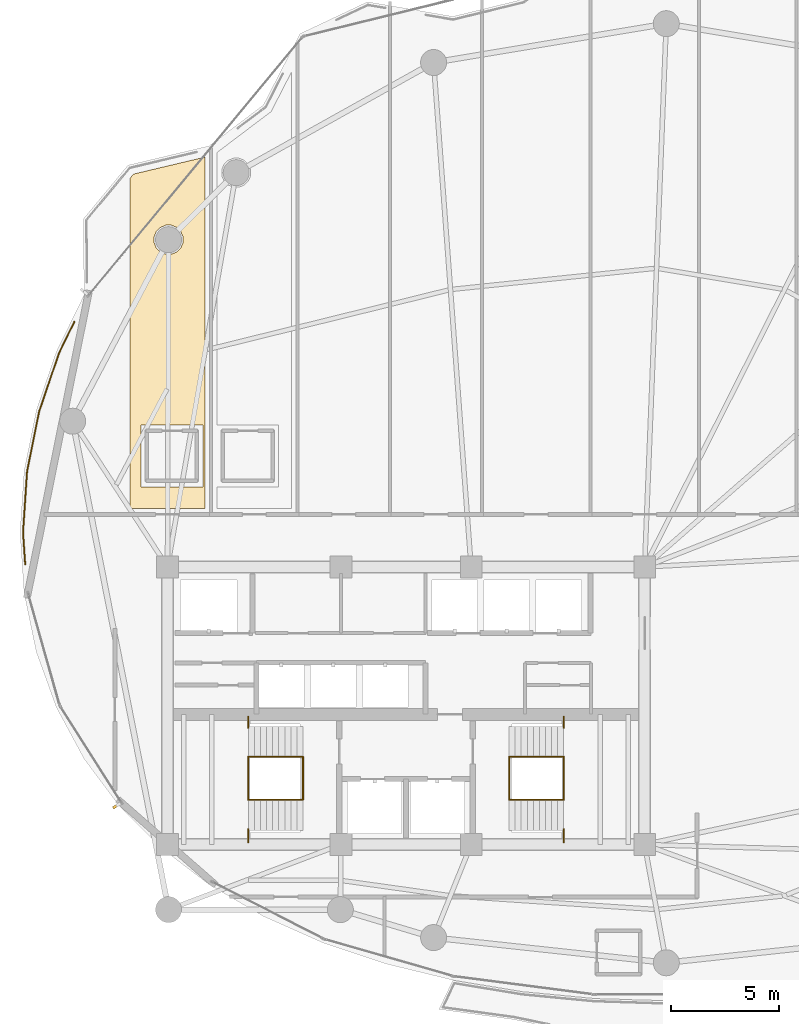
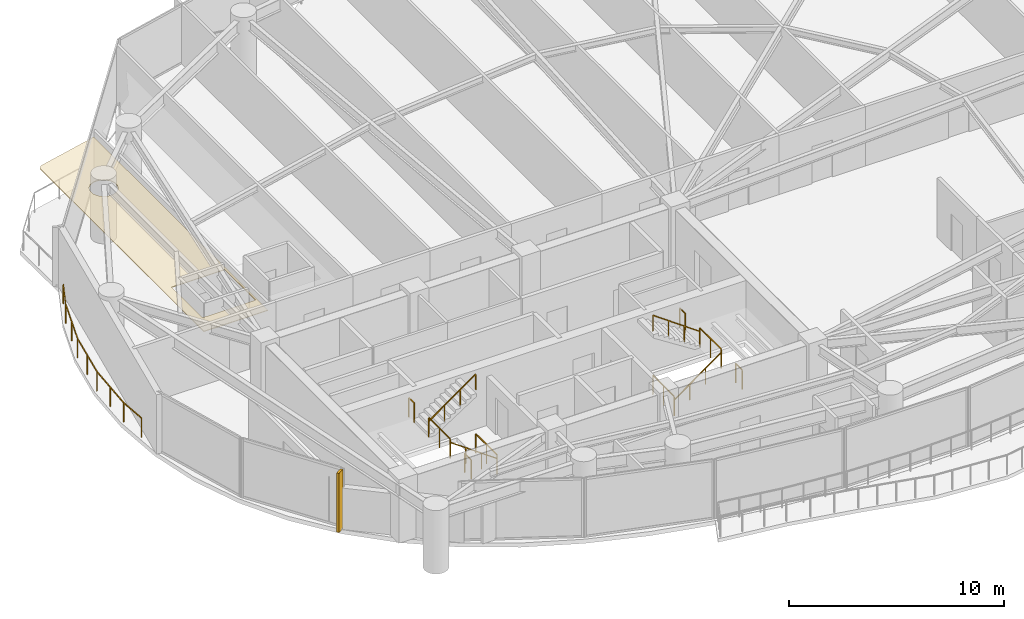
# One storey, part 26 of 28: 13 railings, 1 covering, 1 shading device.
"""IFC4 building model written with IfcOpenShell, lengths in metres."""

from ifc_helpers import new_model, si_unit, direction, frame, origin, origin_2d, place, context, subcontext, project, spatial, polyline, rectangle, outline, extrude, material, layer, layer_set, type_object, element, save


model = new_model("IFC4")

# Units and contexts
model_context = context("Model", 3, precision=1e-05, world=origin(), true_north=direction((0.0, 1.0)))
body_context = subcontext(model_context, "Body", "Model", "MODEL_VIEW")
ifc_project = project(units=[si_unit("LENGTHUNIT", "METRE"), si_unit("AREAUNIT", "SQUARE_METRE"), si_unit("VOLUMEUNIT", "CUBIC_METRE"), si_unit("PLANEANGLEUNIT", "RADIAN"), si_unit("MASSUNIT", "GRAM", prefix="KILO")], contexts=[model_context])

# Site, building, storey
site_placement = place(None, origin())
site = spatial("IfcSite", under=ifc_project, at=site_placement, CompositionType="ELEMENT")
building_placement = place(site_placement, origin())
building = spatial("IfcBuilding", under=site, at=building_placement, Name="Kazevale Care Tower and Concert Hall", CompositionType="ELEMENT")
storey_placement = place(building_placement, frame((0.0, 0.0, 109.800048828125)))
storey = spatial("IfcBuildingStorey", under=building, at=storey_placement, Name="L28", CompositionType="ELEMENT", Elevation=109.800048828125)

# Covering
ifc_material_1 = material(Name="Acoustic Plaster and Hinoki Wood", Category="wood")
ifc_layer = layer(ifc_material_1, 0.0400390625)
ifc_layer_set = layer_set([ifc_layer], Name="Acoustic Plaster and Hinoki Wood")
covering_type = type_object("IfcCoveringType", Name="Acoustic Perforated Wood-Gypsum Ceiling", PredefinedType="CEILING", material=ifc_layer_set)
covering_placement = place(storey_placement, frame((0.0, 0.0, 2.7099609375)))
element("IfcCovering", 1, at=covering_placement, inside=storey, type_object=covering_type, Name="clg:L28:1", PredefinedType="CEILING", context=body_context, shape_type="SweptSolid", body=[
    extrude(outline(polyline([(23.719970703125, 39.10498046875), (20.280029296875, 39.10498046875), (20.280029296875, 54.33203125), (20.43310546875, 54.51611328125), (23.719970703125, 55.297119140625), (23.719970703125, 39.10498046875)]), holes=[polyline([(20.77001953125, 42.955078125), (20.77001953125, 40.094970703125), (23.6298828125, 40.094970703125), (23.6298828125, 42.955078125), (20.77001953125, 42.955078125)]), polyline([(22.717041015625, 51.623046875), (22.614990234375, 51.867919921875), (22.427978515625, 52.054931640625), (22.18310546875, 52.156982421875), (21.9169921875, 52.156982421875), (21.672119140625, 52.054931640625), (21.485107421875, 51.867919921875), (21.383056640625, 51.623046875), (21.383056640625, 51.35693359375), (21.485107421875, 51.112060546875), (21.672119140625, 50.925048828125), (21.9169921875, 50.822998046875), (22.18310546875, 50.822998046875), (22.427978515625, 50.925048828125), (22.614990234375, 51.112060546875), (22.717041015625, 51.35693359375), (22.717041015625, 51.623046875)])]), origin(), (0.0, 0.0, 1.0), 0.0400390625),
])

# Railings
ifc_material_2 = material(Name="Anodised Bronze Aluminium and Laminated Glass", Category="aluminium")
railing_type_1 = type_object("IfcRailingType", Name="Balcony and Terrace Balustrade 1120", PredefinedType="BALUSTRADE", material=ifc_material_2)
railing_1_placement = place(storey_placement, frame((15.43994140625, 36.514892578125, 0.0)))
element("IfcRailing", 2, at=railing_1_placement, inside=storey, type_object=railing_type_1, Name="rail:L28:perim:1", PredefinedType="BALUSTRADE", context=body_context, shape_type="SweptSolid", body=[
    extrude(rectangle(XDim=0.048095703125, YDim=0.048095703125, at=origin_2d()), frame((0.0, 0.0, 1.09619140625), z_axis=(-0.067085094259, 0.99774725764, 0.0), x_axis=(-0.99774725764, -0.067085094259, 0.0)), (0.0, 0.0, 1.0), 1.488525390625),
    extrude(rectangle(XDim=0.048095703125, YDim=0.048095703125, at=origin_2d()), frame((-0.099853515625, 1.485107421875, 1.09619140625), z_axis=(0.066138294973, 0.997810465939, 0.0), x_axis=(-0.997810465939, 0.066138294973, 0.0)), (0.0, 0.0, 1.0), 2.80908203125),
    extrude(rectangle(XDim=0.048095703125, YDim=0.048095703125, at=origin_2d()), frame((0.0859375, 4.2880859375, 1.09619140625), z_axis=(0.197313197068, 0.980340503225, 0.0), x_axis=(-0.980340503225, 0.197313197068, 0.0)), (0.0, 0.0, 1.0), 2.823486328125),
    extrude(rectangle(XDim=0.048095703125, YDim=0.048095703125, at=origin_2d()), frame((0.64306640625, 7.05615234375, 1.09619140625), z_axis=(0.322414050189, 0.946598742996, 0.0), x_axis=(-0.946598742996, 0.322414050189, 0.0)), (0.0, 0.0, 1.0), 2.85009765625),
    extrude(rectangle(XDim=0.048095703125, YDim=0.048095703125, at=origin_2d()), frame((1.56201171875, 9.754150390625, 1.09619140625), z_axis=(0.44003868985, 0.89797881458, 0.0), x_axis=(-0.89797881458, 0.44003868985, 0.0)), (0.0, 0.0, 1.0), 1.595703125),
    extrude(rectangle(XDim=0.0419921875, YDim=0.0419921875, at=origin_2d()), origin(), (0.0, 0.0, 1.0), 1.072021484375),
    extrude(rectangle(XDim=0.0419921875, YDim=0.0419921875, at=origin_2d()), frame((-0.099853515625, 1.485107421875, 0.0)), (0.0, 0.0, 1.0), 1.072021484375),
    extrude(rectangle(XDim=0.0419921875, YDim=0.0419921875, at=origin_2d()), frame((-0.0068359375, 2.88671875, 0.0)), (0.0, 0.0, 1.0), 1.072021484375),
    extrude(rectangle(XDim=0.0419921875, YDim=0.0419921875, at=origin_2d()), frame((0.0859375, 4.2880859375, 0.0)), (0.0, 0.0, 1.0), 1.072021484375),
    extrude(rectangle(XDim=0.0419921875, YDim=0.0419921875, at=origin_2d()), frame((0.364501953125, 5.672119140625, 0.0)), (0.0, 0.0, 1.0), 1.072021484375),
    extrude(rectangle(XDim=0.0419921875, YDim=0.0419921875, at=origin_2d()), frame((0.64306640625, 7.05615234375, 0.0)), (0.0, 0.0, 1.0), 1.072021484375),
    extrude(rectangle(XDim=0.0419921875, YDim=0.0419921875, at=origin_2d()), frame((1.1025390625, 8.4052734375, 0.0)), (0.0, 0.0, 1.0), 1.072021484375),
    extrude(rectangle(XDim=0.0419921875, YDim=0.0419921875, at=origin_2d()), frame((1.56201171875, 9.754150390625, 0.0)), (0.0, 0.0, 1.0), 1.072021484375),
    extrude(rectangle(XDim=0.0419921875, YDim=0.0419921875, at=origin_2d()), frame((2.26416015625, 11.18701171875, 0.0)), (0.0, 0.0, 1.0), 1.072021484375),
])
ifc_material_3 = material(Name="Stainless Steel 316", Category="steel")
railing_type_2 = type_object("IfcRailingType", Name="Stair Pitch Handrail 920", PredefinedType="HANDRAIL", material=ifc_material_3)
railing_2_placement = place(storey_placement, frame((28.25, 25.659912109375, 0.0)))
element("IfcRailing", 3, at=railing_2_placement, inside=storey, type_object=railing_type_2, Name="stair:L28:ST1:hr1", PredefinedType="HANDRAIL", context=body_context, shape_type="SweptSolid", body=[
    extrude(rectangle(XDim=0.048095703125, YDim=0.048095703125, at=origin_2d()), frame((0.0, 0.0, 0.89599609375), z_axis=(-0.813728144527, 0.0, 0.581245650998), x_axis=(0.0, -1.0, 0.0)), (0.0, 0.0, 1.0), 3.096923828125),
    extrude(rectangle(XDim=0.0419921875, YDim=0.0419921875, at=origin_2d()), origin(), (0.0, 0.0, 1.0), 0.871826171875),
    extrude(rectangle(XDim=0.0419921875, YDim=0.0419921875, at=origin_2d()), frame((-0.840087890625, 0.0, 0.60009765625)), (0.0, 0.0, 1.0), 0.871826171875),
    extrude(rectangle(XDim=0.0419921875, YDim=0.0419921875, at=origin_2d()), frame((-1.679931640625, 0.0, 1.199951171875)), (0.0, 0.0, 1.0), 0.871826171875),
    extrude(rectangle(XDim=0.0419921875, YDim=0.0419921875, at=origin_2d()), frame((-2.52001953125, 0.0, 1.800048828125)), (0.0, 0.0, 1.0), 0.871826171875),
])
railing_3_placement = place(storey_placement, frame((25.72998046875, 27.639892578125, 1.800048828125)))
element("IfcRailing", 4, at=railing_3_placement, inside=storey, type_object=railing_type_2, Name="stair:L28:ST1:hr2", PredefinedType="HANDRAIL", context=body_context, shape_type="SweptSolid", body=[
    extrude(rectangle(XDim=0.048095703125, YDim=0.048095703125, at=origin_2d()), frame((0.0, 0.0, 0.89599609375), z_axis=(0.813765431312, 0.0, 0.581193446971), x_axis=(0.0, 1.0, 0.0)), (0.0, 0.0, 1.0), 3.0966796875),
    extrude(rectangle(XDim=0.0419921875, YDim=0.0419921875, at=origin_2d()), origin(), (0.0, 0.0, 1.0), 0.871826171875),
    extrude(rectangle(XDim=0.0419921875, YDim=0.0419921875, at=origin_2d()), frame((0.840087890625, 0.0, 0.599853515625)), (0.0, 0.0, 1.0), 0.871826171875),
    extrude(rectangle(XDim=0.0419921875, YDim=0.0419921875, at=origin_2d()), frame((1.679931640625, 0.0, 1.199951171875)), (0.0, 0.0, 1.0), 0.871826171875),
    extrude(rectangle(XDim=0.0419921875, YDim=0.0419921875, at=origin_2d()), frame((2.52001953125, 0.0, 1.7998046875)), (0.0, 0.0, 1.0), 0.871826171875),
])
railing_4_placement = place(storey_placement, frame((37.75, 25.659912109375, 0.0)))
element("IfcRailing", 5, at=railing_4_placement, inside=storey, type_object=railing_type_2, Name="stair:L28:ST2:hr1", PredefinedType="HANDRAIL", context=body_context, shape_type="SweptSolid", body=[
    extrude(rectangle(XDim=0.048095703125, YDim=0.048095703125, at=origin_2d()), frame((0.0, 0.0, 0.89599609375), z_axis=(0.813728144527, 0.0, 0.581245650998), x_axis=(0.0, 1.0, 0.0)), (0.0, 0.0, 1.0), 3.096923828125),
    extrude(rectangle(XDim=0.0419921875, YDim=0.0419921875, at=origin_2d()), origin(), (0.0, 0.0, 1.0), 0.871826171875),
    extrude(rectangle(XDim=0.0419921875, YDim=0.0419921875, at=origin_2d()), frame((0.840087890625, 0.0, 0.60009765625)), (0.0, 0.0, 1.0), 0.871826171875),
    extrude(rectangle(XDim=0.0419921875, YDim=0.0419921875, at=origin_2d()), frame((1.679931640625, 0.0, 1.199951171875)), (0.0, 0.0, 1.0), 0.871826171875),
    extrude(rectangle(XDim=0.0419921875, YDim=0.0419921875, at=origin_2d()), frame((2.52001953125, 0.0, 1.800048828125)), (0.0, 0.0, 1.0), 0.871826171875),
])
railing_5_placement = place(storey_placement, frame((40.27001953125, 27.639892578125, 1.800048828125)))
element("IfcRailing", 6, at=railing_5_placement, inside=storey, type_object=railing_type_2, Name="stair:L28:ST2:hr2", PredefinedType="HANDRAIL", context=body_context, shape_type="SweptSolid", body=[
    extrude(rectangle(XDim=0.048095703125, YDim=0.048095703125, at=origin_2d()), frame((0.0, 0.0, 0.89599609375), z_axis=(-0.813765431312, 0.0, 0.581193446971), x_axis=(0.0, -1.0, 0.0)), (0.0, 0.0, 1.0), 3.0966796875),
    extrude(rectangle(XDim=0.0419921875, YDim=0.0419921875, at=origin_2d()), origin(), (0.0, 0.0, 1.0), 0.871826171875),
    extrude(rectangle(XDim=0.0419921875, YDim=0.0419921875, at=origin_2d()), frame((-0.840087890625, 0.0, 0.599853515625)), (0.0, 0.0, 1.0), 0.871826171875),
    extrude(rectangle(XDim=0.0419921875, YDim=0.0419921875, at=origin_2d()), frame((-1.679931640625, 0.0, 1.199951171875)), (0.0, 0.0, 1.0), 0.871826171875),
    extrude(rectangle(XDim=0.0419921875, YDim=0.0419921875, at=origin_2d()), frame((-2.52001953125, 0.0, 1.7998046875)), (0.0, 0.0, 1.0), 0.871826171875),
])
railing_type_3 = type_object("IfcRailingType", Name="Stair Well Guard Balustrade 1120", PredefinedType="BALUSTRADE", material=ifc_material_3)
railing_6_placement = place(storey_placement, frame((25.72998046875, 23.699951171875, 1.800048828125)))
element("IfcRailing", 7, at=railing_6_placement, inside=storey, type_object=railing_type_3, Name="stair:L28:ST1:grd_side1", PredefinedType="BALUSTRADE", context=body_context, shape_type="SweptSolid", body=[
    extrude(rectangle(XDim=0.048095703125, YDim=0.048095703125, at=origin_2d()), frame((0.0, 0.0, 1.09619140625), z_axis=(0.0, 1.0, 0.0), x_axis=(-1.0, 0.0, 0.0)), (0.0, 0.0, 1.0), 0.610107421875),
    extrude(rectangle(XDim=0.0419921875, YDim=0.0419921875, at=origin_2d()), origin(), (0.0, 0.0, 1.0), 1.072021484375),
    extrude(rectangle(XDim=0.0419921875, YDim=0.0419921875, at=origin_2d()), frame((0.0, 0.610107421875, 0.0)), (0.0, 0.0, 1.0), 1.072021484375),
])
railing_7_placement = place(storey_placement, frame((25.72998046875, 28.989990234375, 1.800048828125)))
element("IfcRailing", 8, at=railing_7_placement, inside=storey, type_object=railing_type_3, Name="stair:L28:ST1:grd_side2", PredefinedType="BALUSTRADE", context=body_context, shape_type="SweptSolid", body=[
    extrude(rectangle(XDim=0.048095703125, YDim=0.048095703125, at=origin_2d()), frame((0.0, 0.0, 1.09619140625), z_axis=(0.0, 1.0, 0.0), x_axis=(-1.0, 0.0, 0.0)), (0.0, 0.0, 1.0), 0.510009765625),
    extrude(rectangle(XDim=0.0419921875, YDim=0.0419921875, at=origin_2d()), origin(), (0.0, 0.0, 1.0), 1.072021484375),
    extrude(rectangle(XDim=0.0419921875, YDim=0.0419921875, at=origin_2d()), frame((0.0, 0.510009765625, 0.0)), (0.0, 0.0, 1.0), 1.072021484375),
])
for number, where, name in (
    (9, (25.72998046875, 25.659912109375, 1.800048828125), "stair:L28:ST1:grd_mid"),
    (10, (28.25, 25.659912109375, 0.0), "stair:L28:ST1:grd_flr"),
):
    element("IfcRailing", number, at=place(storey_placement, frame(where)), inside=storey, type_object=railing_type_3, Name=name, PredefinedType="BALUSTRADE", context=body_context, shape_type="SweptSolid", body=[
        extrude(rectangle(XDim=0.048095703125, YDim=0.048095703125, at=origin_2d()), frame((0.0, 0.0, 1.09619140625), z_axis=(0.0, 1.0, 0.0), x_axis=(-1.0, 0.0, 0.0)), (0.0, 0.0, 1.0), 1.97998046875),
        extrude(rectangle(XDim=0.0419921875, YDim=0.0419921875, at=origin_2d()), origin(), (0.0, 0.0, 1.0), 1.072021484375),
        extrude(rectangle(XDim=0.0419921875, YDim=0.0419921875, at=origin_2d()), frame((0.0, 0.989990234375, 0.0)), (0.0, 0.0, 1.0), 1.072021484375),
        extrude(rectangle(XDim=0.0419921875, YDim=0.0419921875, at=origin_2d()), frame((0.0, 1.97998046875, 0.0)), (0.0, 0.0, 1.0), 1.072021484375),
    ])
railing_8_placement = place(storey_placement, frame((40.27001953125, 23.699951171875, 1.800048828125)))
element("IfcRailing", 11, at=railing_8_placement, inside=storey, type_object=railing_type_3, Name="stair:L28:ST2:grd_side1", PredefinedType="BALUSTRADE", context=body_context, shape_type="SweptSolid", body=[
    extrude(rectangle(XDim=0.048095703125, YDim=0.048095703125, at=origin_2d()), frame((0.0, 0.0, 1.09619140625), z_axis=(0.0, 1.0, 0.0), x_axis=(-1.0, 0.0, 0.0)), (0.0, 0.0, 1.0), 0.610107421875),
    extrude(rectangle(XDim=0.0419921875, YDim=0.0419921875, at=origin_2d()), origin(), (0.0, 0.0, 1.0), 1.072021484375),
    extrude(rectangle(XDim=0.0419921875, YDim=0.0419921875, at=origin_2d()), frame((0.0, 0.610107421875, 0.0)), (0.0, 0.0, 1.0), 1.072021484375),
])
railing_9_placement = place(storey_placement, frame((40.27001953125, 28.989990234375, 1.800048828125)))
element("IfcRailing", 12, at=railing_9_placement, inside=storey, type_object=railing_type_3, Name="stair:L28:ST2:grd_side2", PredefinedType="BALUSTRADE", context=body_context, shape_type="SweptSolid", body=[
    extrude(rectangle(XDim=0.048095703125, YDim=0.048095703125, at=origin_2d()), frame((0.0, 0.0, 1.09619140625), z_axis=(0.0, 1.0, 0.0), x_axis=(-1.0, 0.0, 0.0)), (0.0, 0.0, 1.0), 0.510009765625),
    extrude(rectangle(XDim=0.0419921875, YDim=0.0419921875, at=origin_2d()), origin(), (0.0, 0.0, 1.0), 1.072021484375),
    extrude(rectangle(XDim=0.0419921875, YDim=0.0419921875, at=origin_2d()), frame((0.0, 0.510009765625, 0.0)), (0.0, 0.0, 1.0), 1.072021484375),
])
for number, where, name in (
    (13, (40.27001953125, 25.659912109375, 1.800048828125), "stair:L28:ST2:grd_mid"),
    (14, (37.75, 25.659912109375, 0.0), "stair:L28:ST2:grd_flr"),
):
    element("IfcRailing", number, at=place(storey_placement, frame(where)), inside=storey, type_object=railing_type_3, Name=name, PredefinedType="BALUSTRADE", context=body_context, shape_type="SweptSolid", body=[
        extrude(rectangle(XDim=0.048095703125, YDim=0.048095703125, at=origin_2d()), frame((0.0, 0.0, 1.09619140625), z_axis=(0.0, 1.0, 0.0), x_axis=(-1.0, 0.0, 0.0)), (0.0, 0.0, 1.0), 1.97998046875),
        extrude(rectangle(XDim=0.0419921875, YDim=0.0419921875, at=origin_2d()), origin(), (0.0, 0.0, 1.0), 1.072021484375),
        extrude(rectangle(XDim=0.0419921875, YDim=0.0419921875, at=origin_2d()), frame((0.0, 0.989990234375, 0.0)), (0.0, 0.0, 1.0), 1.072021484375),
        extrude(rectangle(XDim=0.0419921875, YDim=0.0419921875, at=origin_2d()), frame((0.0, 1.97998046875, 0.0)), (0.0, 0.0, 1.0), 1.072021484375),
    ])

# Shading device
ifc_material_4 = material(Name="Honed Ochre Limestone", Category="masonry")
shading_device_type = type_object("IfcShadingDeviceType", Name="Vertical Honed Limestone Fin FIN-01", PredefinedType="USERDEFINED", material=ifc_material_4)
shading_device_placement = place(storey_placement, frame((19.649658203125, 25.387451171875, 0.0), z_axis=(0.0, 0.0, 1.0), x_axis=(-0.843391445813, -0.537299608347, 0.0)))
element("IfcShadingDevice", 15, at=shading_device_placement, inside=storey, type_object=shading_device_type, Name="cw:L28:f11:fin", ObjectType="FIN", PredefinedType="USERDEFINED", context=body_context, shape_type="SweptSolid", body=[
    extrude(rectangle(XDim=0.3798828125, YDim=0.1201171875, at=origin_2d()), origin(), (0.0, 0.0, 1.0), 3.360107421875),
])

save(model, "model.ifc")
